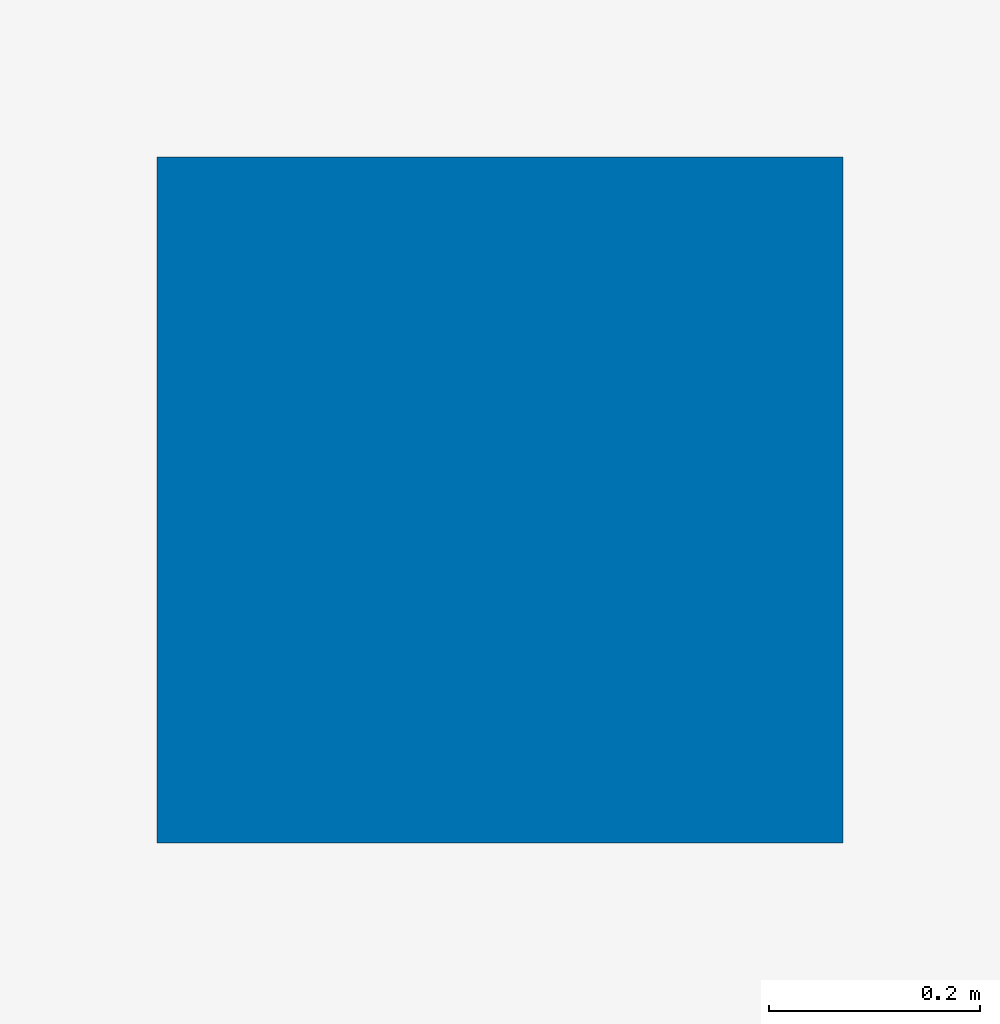
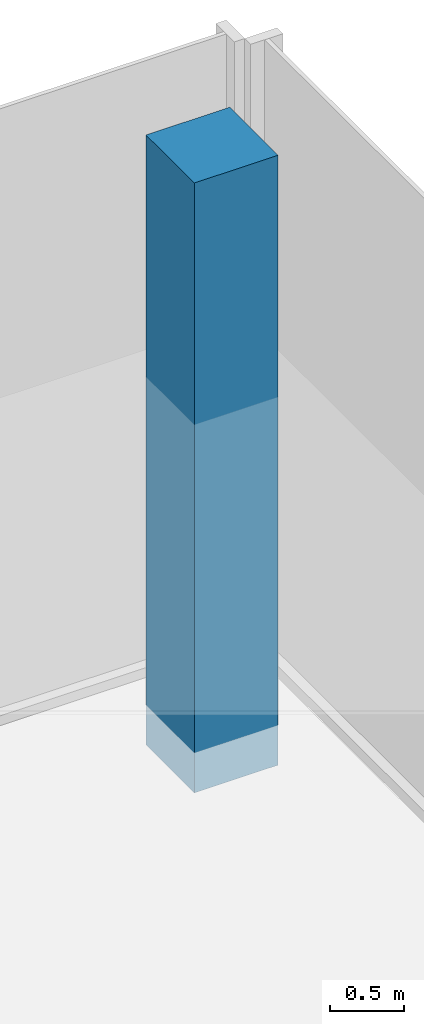
# One storey, part 14 of 33: 1 column.
"""IFC4 building model written with IfcOpenShell, lengths in metres."""

from ifc_helpers import new_model, si_unit, direction, frame, origin, origin_2d, place, context, subcontext, project, spatial, rectangle, extrude, material, material_profile, profile_set, type_object, element, save


model = new_model("IFC4")

# Units and contexts
model_context = context("Model", 3, precision=1e-05, world=origin(), true_north=direction((0.0, 1.0)))
body_context = subcontext(model_context, "Body", "Model", "MODEL_VIEW")
ifc_project = project(units=[si_unit("LENGTHUNIT", "METRE"), si_unit("AREAUNIT", "SQUARE_METRE"), si_unit("VOLUMEUNIT", "CUBIC_METRE"), si_unit("PLANEANGLEUNIT", "RADIAN"), si_unit("MASSUNIT", "GRAM", prefix="KILO")], contexts=[model_context])

# Site, building, storey
site_placement = place(None, origin())
site = spatial("IfcSite", under=ifc_project, at=site_placement, CompositionType="ELEMENT")
building_placement = place(site_placement, origin())
building = spatial("IfcBuilding", under=site, at=building_placement, Name="Dunama Terrace Hotel", CompositionType="ELEMENT")
storey_placement = place(building_placement, frame((0.0, 0.0, 12.0)))
storey = spatial("IfcBuildingStorey", under=building, at=storey_placement, Name="L02", CompositionType="ELEMENT", Elevation=12.0)

# Column
ifc_material = material(Name="Concrete C40/50", Category="concrete")
ifc_material_profile = material_profile(ifc_material, rectangle(XDim=0.64990234375, YDim=0.64990234375, at=origin_2d()), Name="RC 650x650")
ifc_profile_set = profile_set([ifc_material_profile], Name="Concrete C40/50")
column_type = type_object("IfcColumnType", Name="Column RC 650x650", PredefinedType="COLUMN", material=ifc_profile_set)
column_placement = place(storey_placement, frame((58.199951171875, 58.199951171875, -0.300048828125), z_axis=(0.0, 0.0, 1.0), x_axis=(1.0, 0.0, 0.0)))
element("IfcColumn", 1, at=column_placement, inside=storey, type_object=column_type, Name="Column L02 +58.2/+58.2", PredefinedType="COLUMN", context=body_context, shape_type="SweptSolid", body=[
    extrude(rectangle(XDim=0.64990234375, YDim=0.64990234375, at=origin_2d()), origin(), (0.0, 0.0, 1.0), 5.0),
])

save(model, "model.ifc")
